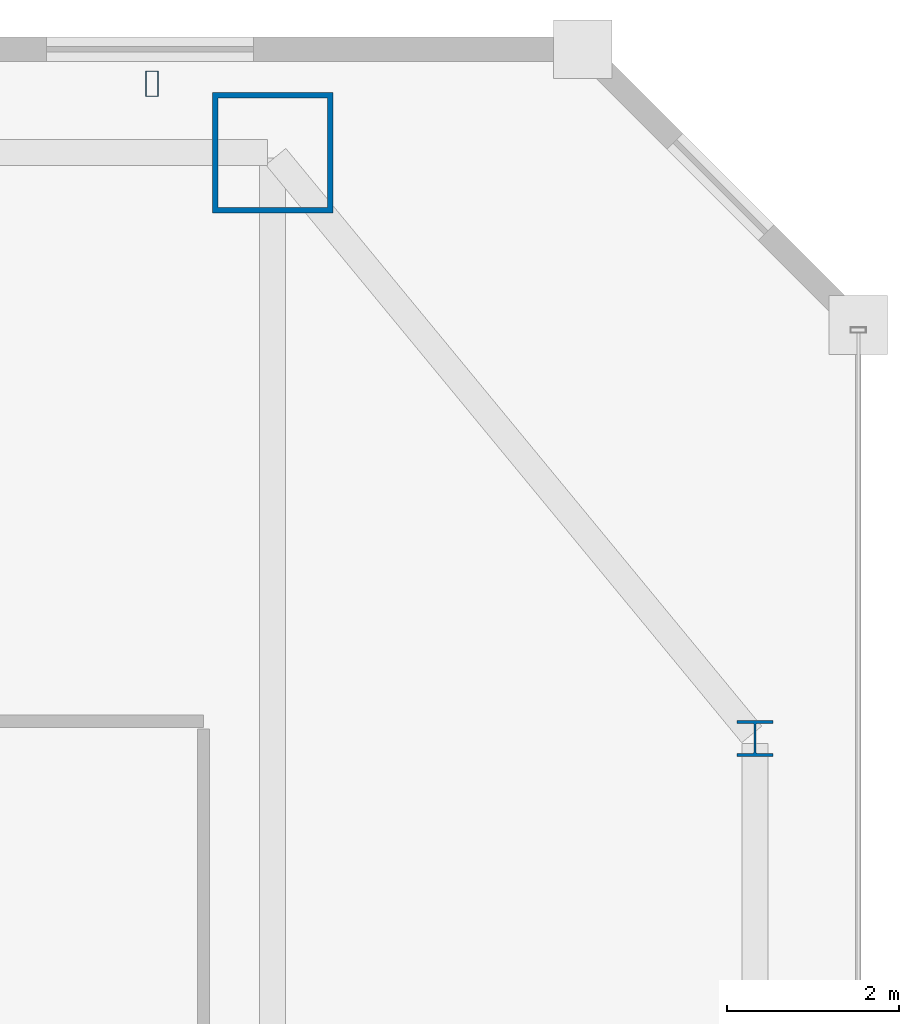
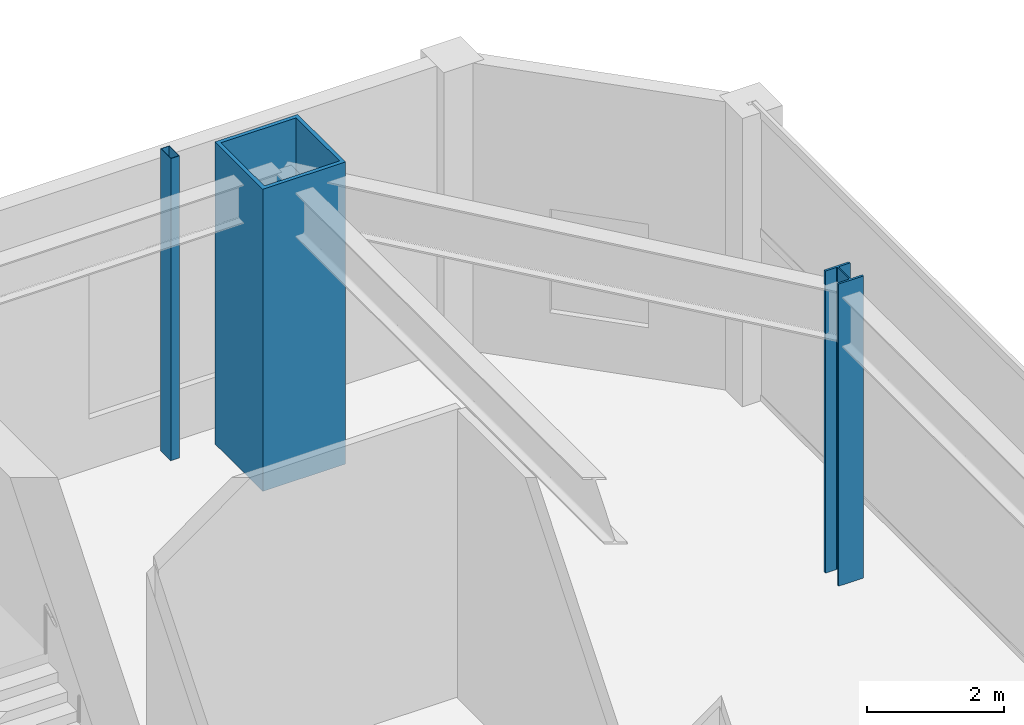
# One storey, part 5 of 53: 3 columns.
"""IFC4 building model written with IfcOpenShell, lengths in metres."""

from ifc_helpers import new_model, si_unit, direction, frame, origin, origin_2d, place, context, subcontext, project, spatial, hollow_rectangle, i_section, extrude, material, material_profile, profile_set, type_object, element, save


model = new_model("IFC4")

# Units and contexts
model_context = context("Model", 3, precision=1e-05, world=origin(), true_north=direction((0.0, 1.0)))
body_context = subcontext(model_context, "Body", "Model", "MODEL_VIEW")
ifc_project = project(units=[si_unit("LENGTHUNIT", "METRE"), si_unit("AREAUNIT", "SQUARE_METRE"), si_unit("VOLUMEUNIT", "CUBIC_METRE"), si_unit("PLANEANGLEUNIT", "RADIAN"), si_unit("MASSUNIT", "GRAM", prefix="KILO")], contexts=[model_context])

# Site, building, storey
site_placement = place(None, origin())
site = spatial("IfcSite", under=ifc_project, at=site_placement, CompositionType="ELEMENT")
building_placement = place(site_placement, origin())
building = spatial("IfcBuilding", under=site, at=building_placement, Name="Saevonmaru Cultural Tower", CompositionType="ELEMENT")
storey_placement = place(building_placement, frame((0.0, 0.0, 22.199951171875)))
storey = spatial("IfcBuildingStorey", under=building, at=storey_placement, Name="L04", CompositionType="ELEMENT", Elevation=22.199951171875)

# Columns
ifc_material_1 = material(Name="Steel HSA600 (600 MPa)", Category="steel")
ifc_material_profile_1 = material_profile(ifc_material_1, hollow_rectangle(XDim=1.39990234375, YDim=1.39990234375, WallThickness=0.06494140625, at=origin_2d()), Name="BOX-1400x1400x65")
ifc_profile_set_1 = profile_set([ifc_material_profile_1], Name="Steel HSA600 (600 MPa)")
column_type_1 = type_object("IfcColumnType", Name="COL-BOX-1400", PredefinedType="COLUMN", material=ifc_profile_set_1)
column_1_placement = place(storey_placement, frame((53.199951171875, 54.800048828125, 0.0), z_axis=(0.0, 0.0, 1.0), x_axis=(1.0, 0.0, 0.0)))
element("IfcColumn", 1, at=column_1_placement, inside=storey, type_object=column_type_1, Name="L04 Column TC-N6N", PredefinedType="COLUMN", context=body_context, shape_type="SweptSolid", body=[
    extrude(hollow_rectangle(XDim=1.39990234375, YDim=1.39990234375, WallThickness=0.06494140625, at=origin_2d()), origin(), (0.0, 0.0, 1.0), 5.400146484375),
])
ifc_material_2 = material(Name="Steel SM420", Category="steel")
ifc_material_profile_2 = material_profile(ifc_material_2, i_section(OverallWidth=0.419921875, OverallDepth=0.419921875, WebThickness=0.02001953125, FlangeThickness=0.034912109375, FilletRadius=0.02197265625, at=origin_2d()), Name="H-428x407x20x35")
ifc_profile_set_2 = profile_set([ifc_material_profile_2], Name="Steel SM420")
column_type_2 = type_object("IfcColumnType", Name="COL-H-428", PredefinedType="COLUMN", material=ifc_profile_set_2)
column_2_placement = place(storey_placement, frame((58.800048828125, 48.0, 0.0), z_axis=(0.0, 0.0, 1.0), x_axis=(1.0, 0.0, 0.0)))
element("IfcColumn", 2, at=column_2_placement, inside=storey, type_object=column_type_2, Name="L04 Column PC-PE-G", PredefinedType="COLUMN", context=body_context, shape_type="SweptSolid", body=[
    extrude(i_section(OverallWidth=0.419921875, OverallDepth=0.419921875, WebThickness=0.02001953125, FlangeThickness=0.034912109375, FilletRadius=0.02197265625, at=origin_2d()), origin(), (0.0, 0.0, 1.0), 5.400146484375),
])
ifc_material_3 = material(Name="Steel SM355", Category="steel")
ifc_material_profile_3 = material_profile(ifc_material_3, hollow_rectangle(XDim=0.14990234375, YDim=0.300048828125, WallThickness=0.010009765625, at=origin_2d()), Name="RHS-300x150x10")
ifc_profile_set_3 = profile_set([ifc_material_profile_3], Name="Steel SM355")
column_type_3 = type_object("IfcColumnType", Name="PIL-RHS-300", PredefinedType="PILASTER", material=ifc_profile_set_3)
column_3_placement = place(storey_placement, frame((51.800048828125, 55.60009765625, 0.0), z_axis=(0.0, 0.0, 1.0), x_axis=(1.0, 0.0, 0.0)))
element("IfcColumn", 3, at=column_3_placement, inside=storey, type_object=column_type_3, Name="L04 Art Deco Bronze-Clad Pilaster PIL-NE", PredefinedType="PILASTER", context=body_context, shape_type="SweptSolid", body=[
    extrude(hollow_rectangle(XDim=0.14990234375, YDim=0.300048828125, WallThickness=0.010009765625, at=origin_2d()), origin(), (0.0, 0.0, 1.0), 5.400146484375),
])

save(model, "model.ifc")
